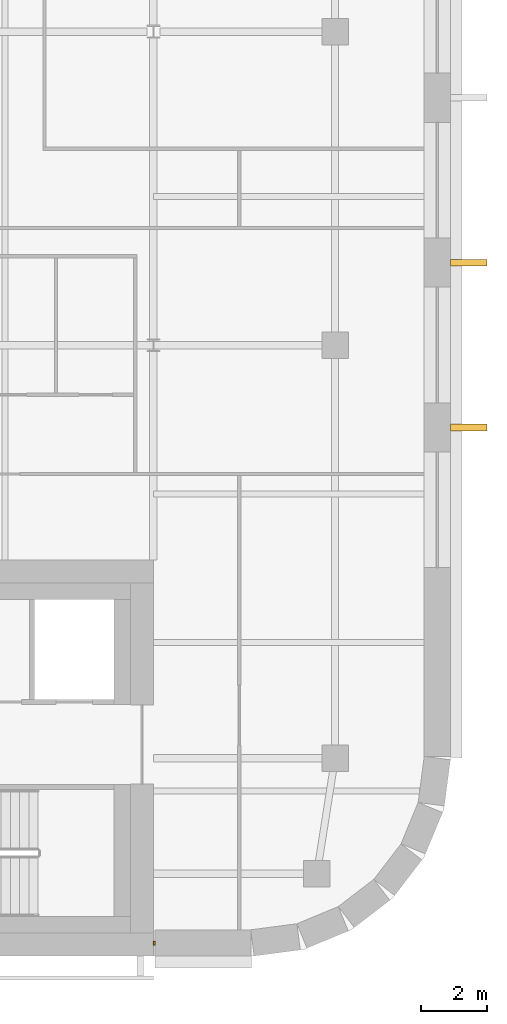
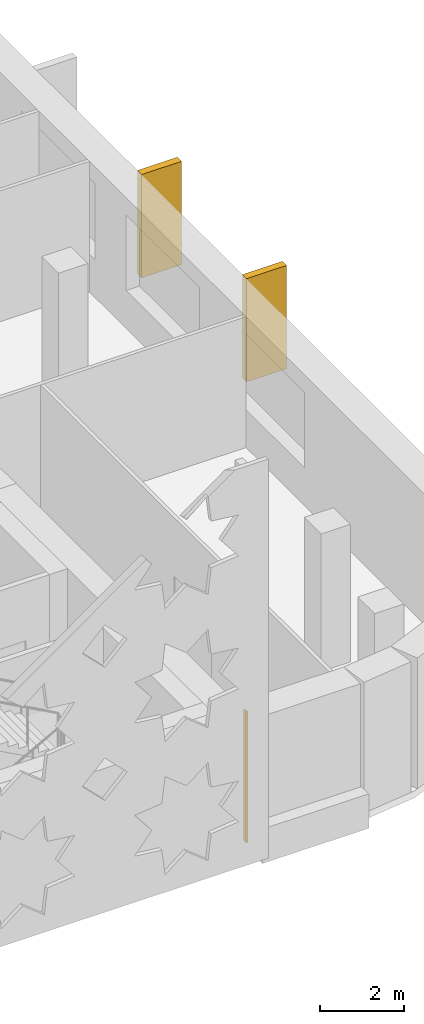
# One storey, part 17 of 18: 3 coverings.
"""IFC4 building model written with IfcOpenShell, lengths in metres."""

import ifcopenshell
import ifcopenshell.guid

model = None  # the IFC model being written
_history = None  # IfcOwnerHistory: only IFC2X3 demands one
_inside = {}  # id of a spatial element -> (the spatial element, [elements in it])
_under = {}  # id of a project, library or spatial element -> (it, [spatial elements below it])
_declared = {}  # id of a project -> (the project, [libraries it declares])
_typed = {}  # id of a type object -> (the type object, [elements of that type])
_made_of = {}  # id of a material, layer set ... -> (it, [elements and type objects made of it])


def new_model(schema):
    """Start an empty IFC model of exactly this schema.

    Asked for "IFC4X3", IfcOpenShell would pick the latest addendum, in which some entities
    have other attributes; the version numbers below select the first issue.
    IFC2X3 requires an IfcOwnerHistory on every rooted entity: one is made here for all.
    """
    global model, _history
    if schema == "IFC4X3":
        model = ifcopenshell.file(schema_version=(4, 3, 0, 0))
    else:
        model = ifcopenshell.file(schema=schema)
    _inside.clear()
    _under.clear()
    _declared.clear()
    _typed.clear()
    _made_of.clear()
    _history = None
    if model.schema == "IFC2X3":
        org = make("IfcOrganization", Name="unknown")
        user = make(
            "IfcPersonAndOrganization",
            ThePerson=make("IfcPerson", FamilyName="unknown"),
            TheOrganization=org,
        )
        app = make(
            "IfcApplication",
            ApplicationDeveloper=org,
            Version="unknown",
            ApplicationFullName="unknown",
            ApplicationIdentifier="unknown",
        )
        _history = make(
            "IfcOwnerHistory",
            OwningUser=user,
            OwningApplication=app,
            ChangeAction="ADDED",
            CreationDate=0,
        )
    return model


def make(cls, **values):
    """One entity of the class cls with the attributes given. An attribute that is None is left unset."""
    return model.create_entity(
        cls, **{name: value for name, value in values.items() if value is not None}
    )


def rooted(cls, **values):
    """An entity with a GlobalId (a new one), such as an element, a storey or a relation."""
    return make(cls, GlobalId=ifcopenshell.guid.new(), OwnerHistory=_history, **values)


def si_unit(unit_type, name, prefix=None):
    """IfcSIUnit, for example si_unit("LENGTHUNIT", "METRE", prefix="MILLI")."""
    return make("IfcSIUnit", UnitType=unit_type, Prefix=prefix, Name=name)


def assignment(units):
    """IfcUnitAssignment: the units of a project."""
    return None if units is None else make("IfcUnitAssignment", Units=units)


def point(xyz):
    """IfcCartesianPoint."""
    return None if xyz is None else make("IfcCartesianPoint", Coordinates=xyz)


def direction(xyz):
    """IfcDirection."""
    return None if xyz is None else make("IfcDirection", DirectionRatios=xyz)


def frame(location, z_axis=None, x_axis=None):
    """IfcAxis2Placement3D, a coordinate frame: its origin and axes. An axis left out is left unset."""
    return make(
        "IfcAxis2Placement3D",
        Location=point(location),
        Axis=direction(z_axis),
        RefDirection=direction(x_axis),
    )


def frame_2d(location, x_axis=None):
    """IfcAxis2Placement2D, a coordinate frame in the plane: its origin and x axis."""
    return make(
        "IfcAxis2Placement2D", Location=point(location), RefDirection=direction(x_axis)
    )


def origin():
    """The frame at (0, 0, 0) with its axes left unset."""
    return frame((0.0, 0.0, 0.0))


def origin_2d():
    """The frame at (0, 0) in the plane with its x axis left unset."""
    return frame_2d((0.0, 0.0))


def place(relative_to, where):
    """IfcLocalPlacement: puts the frame where relative to a parent placement (None: the world)."""
    return make(
        "IfcLocalPlacement", PlacementRelTo=relative_to, RelativePlacement=where
    )


def context(
    kind, dimensions, precision=None, world=None, true_north=None, identifier=None
):
    """IfcGeometricRepresentationContext, for example the 3D "Model" context."""
    return make(
        "IfcGeometricRepresentationContext",
        ContextIdentifier=identifier,
        ContextType=kind,
        CoordinateSpaceDimension=dimensions,
        Precision=precision,
        WorldCoordinateSystem=world,
        TrueNorth=true_north,
    )


def subcontext(parent, identifier, kind, view, scale=None):
    """IfcGeometricRepresentationSubContext, for example "Body" below "Model"."""
    return make(
        "IfcGeometricRepresentationSubContext",
        ContextIdentifier=identifier,
        ContextType=kind,
        ParentContext=parent,
        TargetScale=scale,
        TargetView=view,
    )


def project(units=None, contexts=None):
    """IfcProject with its units and contexts."""
    return rooted(
        "IfcProject",
        Name="project",
        RepresentationContexts=contexts,
        UnitsInContext=assignment(units),
    )


def spatial(cls, under=None, at=None, **own):
    """A site, building, storey or space (cls), placed at a placement, below another one or the project."""
    s = rooted(cls, ObjectPlacement=at, **own)
    if under is not None:
        _under.setdefault(under.id(), (under, []))[1].append(s)
    return s


def polyline(points):
    """IfcPolyline through the points."""
    return make("IfcPolyline", Points=[point(p) for p in points])


def profile(cls, at=None, kind="AREA", **sizes):
    """A parametric profile (cls). Its sizes go by their IFC names, for example OverallWidth=200.0."""
    return make(cls, ProfileType=kind, Position=at, **sizes)


def rectangle(**sizes):
    """IfcRectangleProfileDef."""
    return profile("IfcRectangleProfileDef", **sizes)


def outline(outer, holes=None, kind="AREA"):
    """IfcArbitraryClosedProfileDef: a profile drawn as a closed curve; with holes, ...WithVoids."""
    if holes is None:
        return make("IfcArbitraryClosedProfileDef", ProfileType=kind, OuterCurve=outer)
    return make(
        "IfcArbitraryProfileDefWithVoids",
        ProfileType=kind,
        OuterCurve=outer,
        InnerCurves=holes,
    )


def extrude(swept, where, along, depth):
    """IfcExtrudedAreaSolid: the profile swept, set in the frame where, extruded along a direction by depth."""
    return make(
        "IfcExtrudedAreaSolid",
        SweptArea=swept,
        Position=where,
        ExtrudedDirection=direction(along),
        Depth=depth,
    )


def shape(context_of_items, identifier, shape_type, items):
    """IfcShapeRepresentation: the items that make up one representation, for example the "Body"."""
    return make(
        "IfcShapeRepresentation",
        ContextOfItems=context_of_items,
        RepresentationIdentifier=identifier,
        RepresentationType=shape_type,
        Items=items,
    )


def material(Name=None, Category=None):
    """IfcMaterial."""
    return make("IfcMaterial", Name=Name, Category=Category)


def layer(
    of_material, thickness, ventilated=None, Name=None, Category=None, Priority=None
):
    """IfcMaterialLayer: one layer of a wall or slab, of a material (None: an air gap)."""
    return make(
        "IfcMaterialLayer",
        Material=of_material,
        LayerThickness=thickness,
        IsVentilated=ventilated,
        Name=Name,
        Category=Category,
        Priority=Priority,
    )


def layer_set(layers, Name=None):
    """IfcMaterialLayerSet."""
    return make("IfcMaterialLayerSet", MaterialLayers=layers, LayerSetName=Name)


def made_of(thing, what):
    """Note that an element or type object is made of a material, layer set ...; save() writes the relation."""
    if what is not None:
        _made_of.setdefault(what.id(), (what, []))[1].append(thing)
    return thing


def type_object(cls, material=None, **own):
    """A type object (cls), such as IfcWallType, which elements share."""
    return made_of(rooted(cls, **own), material)


def element(
    cls,
    number,
    at=None,
    inside=None,
    cuts=None,
    type_object=None,
    material=None,
    context=None,
    identifier="Body",
    shape_type=None,
    held_by="IfcProductDefinitionShape",
    body=None,
    shapes=None,
    **own,
):
    """One element of the class cls, such as IfcWall. Its Tag is "e" and its number.

    at: its placement. inside: the storey or other place that contains it. cuts: it is an
    opening in that element (IfcRelVoidsElement). A single representation is given by context,
    identifier, shape_type and body (its items); several are given by shapes. held_by: the class
    of the entity that holds the representations. save() writes the other relations.
    """
    e = rooted(cls, Tag="e%d" % number, ObjectPlacement=at, **own)
    if body is not None:
        shapes = [shape(context, identifier, shape_type, body)]
    if shapes is not None:
        e.Representation = make(held_by, Representations=shapes)
    if inside is not None:
        _inside.setdefault(inside.id(), (inside, []))[1].append(e)
    if cuts is not None:
        rooted(
            "IfcRelVoidsElement", RelatingBuildingElement=cuts, RelatedOpeningElement=e
        )
    if type_object is not None:
        _typed.setdefault(type_object.id(), (type_object, []))[1].append(e)
    return made_of(e, material)


def aggregate(whole, parts):
    """IfcRelAggregates: a whole, such as a stair, and the parts it consists of."""
    return rooted("IfcRelAggregates", RelatingObject=whole, RelatedObjects=parts)


def save(model, path):
    """Write the relations noted so far, then the file.

    IfcRelAggregates (storeys below a building ...), IfcRelContainedInSpatialStructure (elements
    in a storey), IfcRelDefinesByType, IfcRelAssociatesMaterial and IfcRelDeclares: one each for
    every whole, place, type object, material and project.
    """
    for whole, parts in _under.values():
        aggregate(whole, parts)
    for where, things in _inside.values():
        rooted(
            "IfcRelContainedInSpatialStructure",
            RelatedElements=things,
            RelatingStructure=where,
        )
    for kind, things in _typed.values():
        rooted("IfcRelDefinesByType", RelatedObjects=things, RelatingType=kind)
    for what, things in _made_of.values():
        rooted("IfcRelAssociatesMaterial", RelatedObjects=things, RelatingMaterial=what)
    for by, libraries in _declared.values():
        rooted("IfcRelDeclares", RelatingContext=by, RelatedDefinitions=libraries)
    model.write(path)


model = new_model("IFC4")

# Units and contexts
model_context = context("Model", 3, precision=1e-05, world=origin(), true_north=direction((0.0, 1.0)))
body_context = subcontext(model_context, "Body", "Model", "MODEL_VIEW")
ifc_project = project(units=[si_unit("LENGTHUNIT", "METRE"), si_unit("AREAUNIT", "SQUARE_METRE"), si_unit("VOLUMEUNIT", "CUBIC_METRE"), si_unit("PLANEANGLEUNIT", "RADIAN"), si_unit("MASSUNIT", "GRAM", prefix="KILO")], contexts=[model_context])

# Site, building, storey
site_placement = place(None, origin())
site = spatial("IfcSite", under=ifc_project, at=site_placement, CompositionType="ELEMENT")
building_placement = place(site_placement, origin())
building = spatial("IfcBuilding", under=site, at=building_placement, Name="Zellij Exchange Tower", CompositionType="ELEMENT")
storey_placement = place(building_placement, frame((0.0, 0.0, 228.5)))
storey = spatial("IfcBuildingStorey", under=building, at=storey_placement, Name="L53", CompositionType="ELEMENT", Elevation=228.5)

# Coverings
ifc_material = material(Name="Limestone cladding", Category="masonry")
ifc_layer = layer(ifc_material, 0.1201171875)
ifc_layer_set = layer_set([ifc_layer], Name="Limestone cladding")
covering_type_1 = type_object("IfcCoveringType", Name="ENV-CV18 Glazing closer 120", PredefinedType="CLADDING", material=ifc_layer_set)
covering_1_placement = place(storey_placement, frame((27.02490234375, -13.60009765625, 0.0), z_axis=(0.0, 0.0, 1.0), x_axis=(-1.0, 0.0, 0.0)))
element("IfcCovering", 1, at=covering_1_placement, inside=storey, type_object=covering_type_1, Name="Glazing closer", PredefinedType="CLADDING", context=body_context, shape_type="SweptSolid", body=[
    extrude(rectangle(XDim=0.050048828125, YDim=0.1201171875, at=origin_2d()), origin(), (0.0, 0.0, 1.0), 3.800048828125),
])
covering_type_2 = type_object("IfcCoveringType", Name="ENV-CV6 Stone pier 200x1100", PredefinedType="CLADDING", material=ifc_material)
covering_2_placement = place(storey_placement, frame((0.0, 0.0, 0.800048828125)))
element("IfcCovering", 2, at=covering_2_placement, inside=storey, type_object=covering_type_2, Name="Stone pier", PredefinedType="CLADDING", context=body_context, shape_type="SweptSolid", body=[
    extrude(outline(polyline([(36.0, 1.9111328125), (36.0, 2.111083984375), (37.10009765625, 2.111083984375), (37.10009765625, 1.9111328125), (36.0, 1.9111328125)])), origin(), (0.0, 0.0, 1.0), 3.0),
])
covering_3_placement = place(storey_placement, frame((0.0, 0.0, 0.800048828125)))
element("IfcCovering", 3, at=covering_3_placement, inside=storey, type_object=covering_type_2, Name="Stone pier", PredefinedType="CLADDING", context=body_context, shape_type="SweptSolid", body=[
    extrude(outline(polyline([(36.0, 6.90380859375), (36.0, 7.103759765625), (37.10009765625, 7.103759765625), (37.10009765625, 6.90380859375), (36.0, 6.90380859375)])), origin(), (0.0, 0.0, 1.0), 3.0),
])

save(model, "model.ifc")
